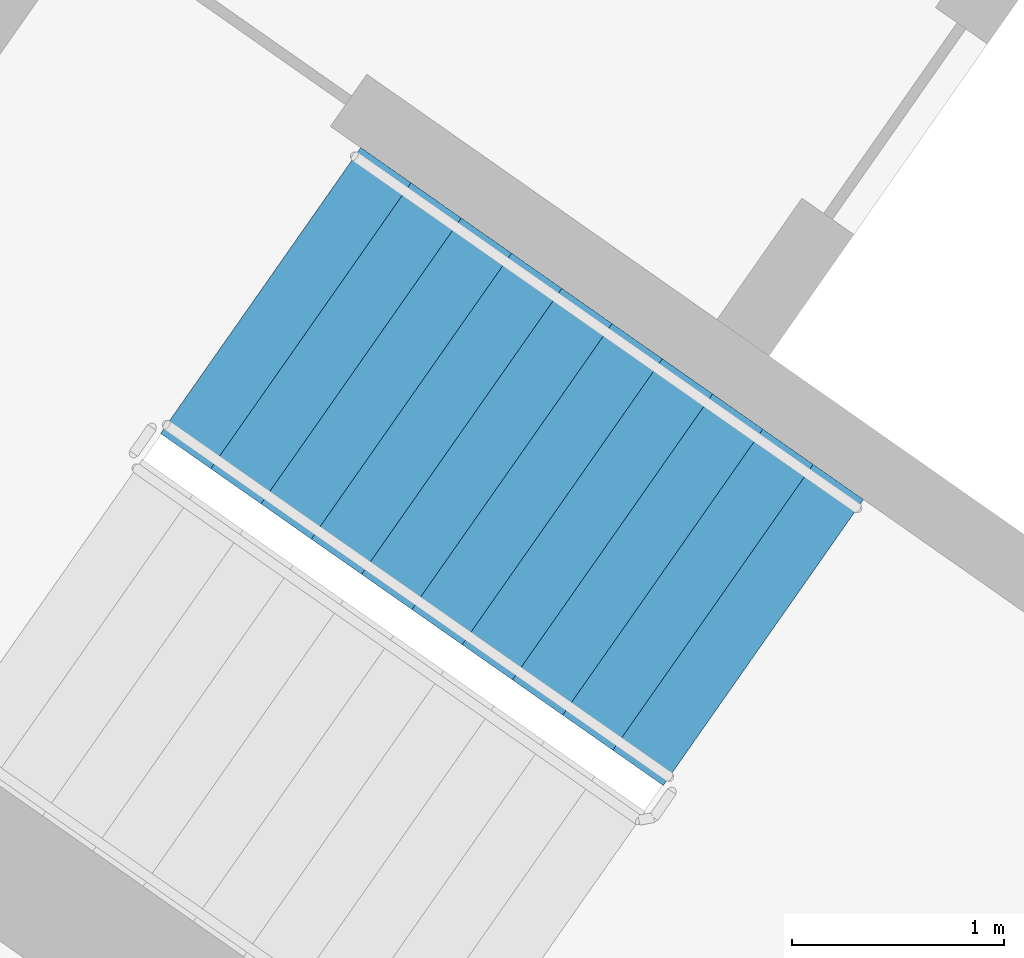
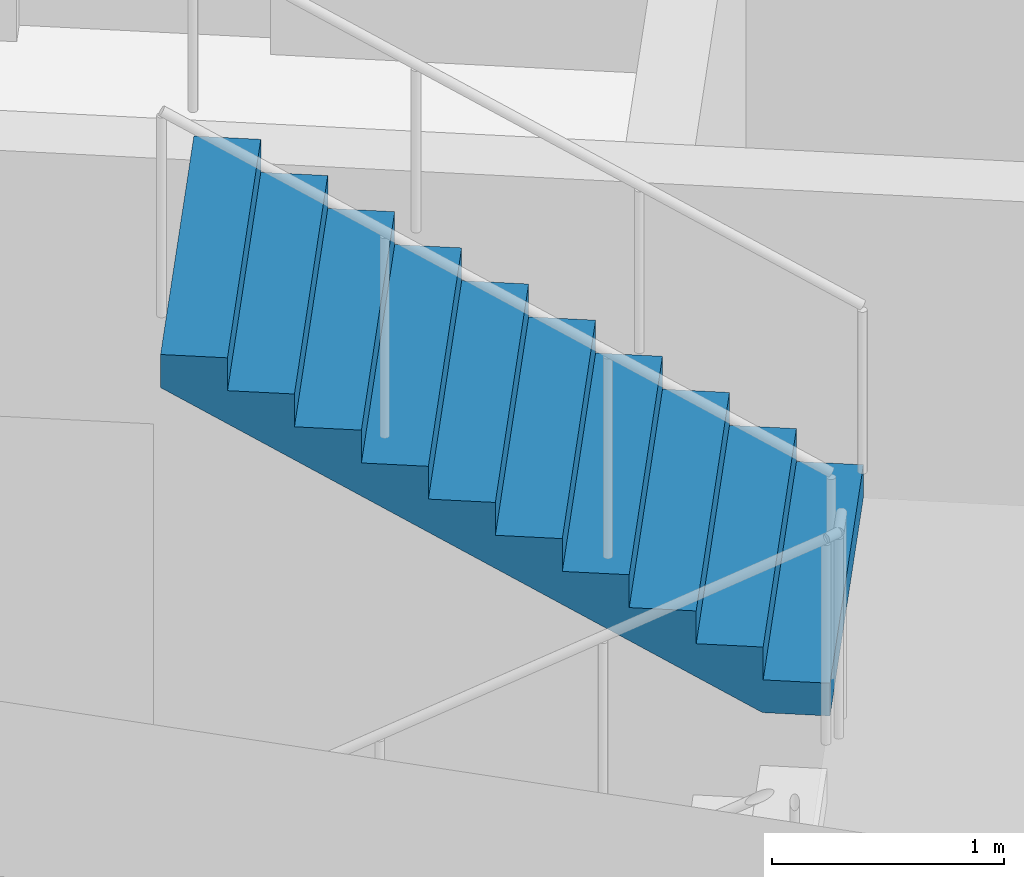
# One storey, part 10 of 27: 1 stair flight, 1 element without a shape of its own.
"""IFC4 building model written with IfcOpenShell, lengths in metres."""

from ifc_helpers import new_model, si_unit, direction, frame, origin, place, context, subcontext, project, spatial, faceted_brep, material, type_object, element, aggregate, save


model = new_model("IFC4")

# Units and contexts
model_context = context("Model", 3, precision=1e-05, world=origin(), true_north=direction((0.0, 1.0)))
body_context = subcontext(model_context, "Body", "Model", "MODEL_VIEW")
ifc_project = project(units=[si_unit("LENGTHUNIT", "METRE"), si_unit("AREAUNIT", "SQUARE_METRE"), si_unit("VOLUMEUNIT", "CUBIC_METRE"), si_unit("PLANEANGLEUNIT", "RADIAN"), si_unit("MASSUNIT", "GRAM", prefix="KILO")], contexts=[model_context])

# Site, building, storey
site_placement = place(None, origin())
site = spatial("IfcSite", under=ifc_project, at=site_placement, CompositionType="ELEMENT")
building_placement = place(site_placement, origin())
building = spatial("IfcBuilding", under=site, at=building_placement, Name="Qamariyya Broadcast Tower", CompositionType="ELEMENT")
storey_placement = place(building_placement, frame((0.0, 0.0, 211.300048828125)))
storey = spatial("IfcBuildingStorey", under=building, at=storey_placement, Name="L50", CompositionType="ELEMENT", Elevation=211.300048828125)

# Stair, stair flight
ifc_material = material(Name="Concrete C50/60", Category="concrete")
stair_type = type_object("IfcStairType", Name="Exit stair 22 risers of 173 mm", PredefinedType="HALF_TURN_STAIR", material=ifc_material)
stair_placement = place(storey_placement, origin())
stair = element("IfcStair", 1, at=stair_placement, inside=storey, type_object=stair_type, Name="L50 Stair W1", PredefinedType="HALF_TURN_STAIR")
stair_flight_type = type_object("IfcStairFlightType", Name="Exit stair flight 11 risers of 173 mm", PredefinedType="STRAIGHT", material=ifc_material)
stair_flight_placement = place(storey_placement, frame((-43.660888671875, -57.17138671875, 1.89990234375), z_axis=(0.0, 0.0, 1.0), x_axis=(-0.819152044289, 0.573576436351, 0.0)))
stair_flight = element("IfcStairFlight", 2, at=stair_flight_placement, type_object=stair_flight_type, Name="ST-W1 flight 2", NumberOfRisers=11, NumberOfTreads=10, PredefinedType="STRAIGHT", RiserHeight=0.172727273, TreadLength=0.29, context=body_context, shape_type="Brep", body=[
    faceted_brep([(0.0, 0.824951171875, 0.0), (0.0, 0.824951171875, 0.172607421875), (0.2900390625, 0.824951171875, 0.172607421875), (0.2900390625, 0.824951171875, 0.345458984375), (0.580078125, 0.824951171875, 0.345458984375), (0.580078125, 0.824951171875, 0.51806640625), (0.8701171875, 0.824951171875, 0.51806640625), (0.8701171875, 0.824951171875, 0.69091796875), (1.159912109375, 0.824951171875, 0.69091796875), (1.159912109375, 0.824951171875, 0.863525390625), (1.449951171875, 0.824951171875, 0.863525390625), (1.449951171875, 0.824951171875, 1.036376953125), (1.739990234375, 0.824951171875, 1.036376953125), (1.739990234375, 0.824951171875, 1.208984375), (2.030029296875, 0.824951171875, 1.208984375), (2.030029296875, 0.824951171875, 1.3818359375), (2.320068359375, 0.824951171875, 1.3818359375), (2.320068359375, 0.824951171875, 1.554443359375), (2.610107421875, 0.824951171875, 1.554443359375), (2.610107421875, 0.824951171875, 1.727294921875), (2.89990234375, 0.824951171875, 1.727294921875), (2.89990234375, 0.824951171875, 1.552734375), (0.29296875, 0.824951171875, 0.0), (0.29296875, -0.824951171875, 0.0), (2.89990234375, -0.824951171875, 1.552734375), (2.89990234375, -0.824951171875, 1.727294921875), (2.610107421875, -0.824951171875, 1.727294921875), (2.610107421875, -0.824951171875, 1.554443359375), (2.320068359375, -0.824951171875, 1.554443359375), (2.320068359375, -0.824951171875, 1.3818359375), (2.030029296875, -0.824951171875, 1.3818359375), (2.030029296875, -0.824951171875, 1.208984375), (1.739990234375, -0.824951171875, 1.208984375), (1.739990234375, -0.824951171875, 1.036376953125), (1.449951171875, -0.824951171875, 1.036376953125), (1.449951171875, -0.824951171875, 0.863525390625), (1.159912109375, -0.824951171875, 0.863525390625), (1.159912109375, -0.824951171875, 0.69091796875), (0.8701171875, -0.824951171875, 0.69091796875), (0.8701171875, -0.824951171875, 0.51806640625), (0.580078125, -0.824951171875, 0.51806640625), (0.580078125, -0.824951171875, 0.345458984375), (0.2900390625, -0.824951171875, 0.345458984375), (0.2900390625, -0.824951171875, 0.172607421875), (0.0, -0.824951171875, 0.172607421875), (0.0, -0.824951171875, 0.0), (0.0, 0.10009765625, 0.0), (0.0, 0.086669921875, 0.0), (0.0, 0.0732421875, 0.0), (0.0, 0.06005859375, 0.0), (0.0, 0.046630859375, 0.0), (0.0, 0.033447265625, 0.0), (0.0, 0.02001953125, 0.0), (0.0, 0.006591796875, 0.0), (0.0, -0.006591796875, 0.0), (0.0, -0.02001953125, 0.0), (0.0, -0.033447265625, 0.0), (0.0, -0.046630859375, 0.0), (0.0, -0.06005859375, 0.0), (0.0, -0.0732421875, 0.0), (0.0, -0.086669921875, 0.0), (0.0, -0.10009765625, 0.0), (0.0, -0.10009765625, 0.172607421875), (0.0, -0.086669921875, 0.172607421875), (0.0, -0.0732421875, 0.172607421875), (0.0, -0.06005859375, 0.172607421875), (0.0, -0.046630859375, 0.172607421875), (0.0, -0.033447265625, 0.172607421875), (0.0, -0.02001953125, 0.172607421875), (0.0, -0.006591796875, 0.172607421875), (0.0, 0.006591796875, 0.172607421875), (0.0, 0.02001953125, 0.172607421875), (0.0, 0.033447265625, 0.172607421875), (0.0, 0.046630859375, 0.172607421875), (0.0, 0.06005859375, 0.172607421875), (0.0, 0.0732421875, 0.172607421875), (0.0, 0.086669921875, 0.172607421875), (0.0, 0.10009765625, 0.172607421875), (0.2900390625, -0.10009765625, 0.172607421875), (0.2900390625, -0.086669921875, 0.172607421875), (0.2900390625, -0.0732421875, 0.172607421875), (0.2900390625, -0.06005859375, 0.172607421875), (0.2900390625, -0.046630859375, 0.172607421875), (0.2900390625, -0.033447265625, 0.172607421875), (0.2900390625, -0.02001953125, 0.172607421875), (0.2900390625, -0.006591796875, 0.172607421875), (0.2900390625, 0.006591796875, 0.172607421875), (0.2900390625, 0.02001953125, 0.172607421875), (0.2900390625, 0.033447265625, 0.172607421875), (0.2900390625, 0.046630859375, 0.172607421875), (0.2900390625, 0.06005859375, 0.172607421875), (0.2900390625, 0.0732421875, 0.172607421875), (0.2900390625, 0.086669921875, 0.172607421875), (0.2900390625, 0.10009765625, 0.172607421875), (0.2900390625, -0.10009765625, 0.345458984375), (0.2900390625, -0.086669921875, 0.345458984375), (0.2900390625, -0.0732421875, 0.345458984375), (0.2900390625, -0.06005859375, 0.345458984375), (0.2900390625, -0.046630859375, 0.345458984375), (0.2900390625, -0.033447265625, 0.345458984375), (0.2900390625, -0.02001953125, 0.345458984375), (0.2900390625, -0.006591796875, 0.345458984375), (0.2900390625, 0.006591796875, 0.345458984375), (0.2900390625, 0.02001953125, 0.345458984375), (0.2900390625, 0.033447265625, 0.345458984375), (0.2900390625, 0.046630859375, 0.345458984375), (0.2900390625, 0.06005859375, 0.345458984375), (0.2900390625, 0.0732421875, 0.345458984375), (0.2900390625, 0.086669921875, 0.345458984375), (0.2900390625, 0.10009765625, 0.345458984375), (0.580078125, -0.10009765625, 0.345458984375), (0.580078125, -0.086669921875, 0.345458984375), (0.580078125, -0.0732421875, 0.345458984375), (0.580078125, -0.06005859375, 0.345458984375), (0.580078125, -0.046630859375, 0.345458984375), (0.580078125, -0.033447265625, 0.345458984375), (0.580078125, -0.02001953125, 0.345458984375), (0.580078125, -0.006591796875, 0.345458984375), (0.580078125, 0.006591796875, 0.345458984375), (0.580078125, 0.02001953125, 0.345458984375), (0.580078125, 0.033447265625, 0.345458984375), (0.580078125, 0.046630859375, 0.345458984375), (0.580078125, 0.06005859375, 0.345458984375), (0.580078125, 0.0732421875, 0.345458984375), (0.580078125, 0.086669921875, 0.345458984375), (0.580078125, 0.10009765625, 0.345458984375), (0.580078125, -0.10009765625, 0.51806640625), (0.580078125, -0.086669921875, 0.51806640625), (0.580078125, -0.0732421875, 0.51806640625), (0.580078125, -0.06005859375, 0.51806640625), (0.580078125, -0.046630859375, 0.51806640625), (0.580078125, -0.033447265625, 0.51806640625), (0.580078125, -0.02001953125, 0.51806640625), (0.580078125, -0.006591796875, 0.51806640625), (0.580078125, 0.006591796875, 0.51806640625), (0.580078125, 0.02001953125, 0.51806640625), (0.580078125, 0.033447265625, 0.51806640625), (0.580078125, 0.046630859375, 0.51806640625), (0.580078125, 0.06005859375, 0.51806640625), (0.580078125, 0.0732421875, 0.51806640625), (0.580078125, 0.086669921875, 0.51806640625), (0.580078125, 0.10009765625, 0.51806640625), (0.8701171875, -0.10009765625, 0.51806640625), (0.8701171875, -0.086669921875, 0.51806640625), (0.8701171875, -0.0732421875, 0.51806640625), (0.8701171875, -0.06005859375, 0.51806640625), (0.8701171875, -0.046630859375, 0.51806640625), (0.8701171875, -0.033447265625, 0.51806640625), (0.8701171875, -0.02001953125, 0.51806640625), (0.8701171875, -0.006591796875, 0.51806640625), (0.8701171875, 0.006591796875, 0.51806640625), (0.8701171875, 0.02001953125, 0.51806640625), (0.8701171875, 0.033447265625, 0.51806640625), (0.8701171875, 0.046630859375, 0.51806640625), (0.8701171875, 0.06005859375, 0.51806640625), (0.8701171875, 0.0732421875, 0.51806640625), (0.8701171875, 0.086669921875, 0.51806640625), (0.8701171875, 0.10009765625, 0.51806640625), (0.8701171875, -0.10009765625, 0.69091796875), (0.8701171875, -0.086669921875, 0.69091796875), (0.8701171875, -0.0732421875, 0.69091796875), (0.8701171875, -0.06005859375, 0.69091796875), (0.8701171875, -0.046630859375, 0.69091796875), (0.8701171875, -0.033447265625, 0.69091796875), (0.8701171875, -0.02001953125, 0.69091796875), (0.8701171875, -0.006591796875, 0.69091796875), (0.8701171875, 0.006591796875, 0.69091796875), (0.8701171875, 0.02001953125, 0.69091796875), (0.8701171875, 0.033447265625, 0.69091796875), (0.8701171875, 0.046630859375, 0.69091796875), (0.8701171875, 0.06005859375, 0.69091796875), (0.8701171875, 0.0732421875, 0.69091796875), (0.8701171875, 0.086669921875, 0.69091796875), (0.8701171875, 0.10009765625, 0.69091796875), (1.159912109375, -0.10009765625, 0.69091796875), (1.159912109375, -0.086669921875, 0.69091796875), (1.159912109375, -0.0732421875, 0.69091796875), (1.159912109375, -0.06005859375, 0.69091796875), (1.159912109375, -0.046630859375, 0.69091796875), (1.159912109375, -0.033447265625, 0.69091796875), (1.159912109375, -0.02001953125, 0.69091796875), (1.159912109375, -0.006591796875, 0.69091796875), (1.159912109375, 0.006591796875, 0.69091796875), (1.159912109375, 0.02001953125, 0.69091796875), (1.159912109375, 0.033447265625, 0.69091796875), (1.159912109375, 0.046630859375, 0.69091796875), (1.159912109375, 0.06005859375, 0.69091796875), (1.159912109375, 0.0732421875, 0.69091796875), (1.159912109375, 0.086669921875, 0.69091796875), (1.159912109375, 0.10009765625, 0.69091796875), (1.159912109375, -0.10009765625, 0.863525390625), (1.159912109375, -0.086669921875, 0.863525390625), (1.159912109375, -0.0732421875, 0.863525390625), (1.159912109375, -0.06005859375, 0.863525390625), (1.159912109375, -0.046630859375, 0.863525390625), (1.159912109375, -0.033447265625, 0.863525390625), (1.159912109375, -0.02001953125, 0.863525390625), (1.159912109375, -0.006591796875, 0.863525390625), (1.159912109375, 0.006591796875, 0.863525390625), (1.159912109375, 0.02001953125, 0.863525390625), (1.159912109375, 0.033447265625, 0.863525390625), (1.159912109375, 0.046630859375, 0.863525390625), (1.159912109375, 0.06005859375, 0.863525390625), (1.159912109375, 0.0732421875, 0.863525390625), (1.159912109375, 0.086669921875, 0.863525390625), (1.159912109375, 0.10009765625, 0.863525390625), (1.449951171875, -0.10009765625, 0.863525390625), (1.449951171875, -0.086669921875, 0.863525390625), (1.449951171875, -0.0732421875, 0.863525390625), (1.449951171875, -0.06005859375, 0.863525390625), (1.449951171875, -0.046630859375, 0.863525390625), (1.449951171875, -0.033447265625, 0.863525390625), (1.449951171875, -0.02001953125, 0.863525390625), (1.449951171875, -0.006591796875, 0.863525390625), (1.449951171875, 0.006591796875, 0.863525390625), (1.449951171875, 0.02001953125, 0.863525390625), (1.449951171875, 0.033447265625, 0.863525390625), (1.449951171875, 0.046630859375, 0.863525390625), (1.449951171875, 0.06005859375, 0.863525390625), (1.449951171875, 0.0732421875, 0.863525390625), (1.449951171875, 0.086669921875, 0.863525390625), (1.449951171875, 0.10009765625, 0.863525390625), (1.449951171875, -0.10009765625, 1.036376953125), (1.449951171875, -0.086669921875, 1.036376953125), (1.449951171875, -0.0732421875, 1.036376953125), (1.449951171875, -0.06005859375, 1.036376953125), (1.449951171875, -0.046630859375, 1.036376953125), (1.449951171875, -0.033447265625, 1.036376953125), (1.449951171875, -0.02001953125, 1.036376953125), (1.449951171875, -0.006591796875, 1.036376953125), (1.449951171875, 0.006591796875, 1.036376953125), (1.449951171875, 0.02001953125, 1.036376953125), (1.449951171875, 0.033447265625, 1.036376953125), (1.449951171875, 0.046630859375, 1.036376953125), (1.449951171875, 0.06005859375, 1.036376953125), (1.449951171875, 0.0732421875, 1.036376953125), (1.449951171875, 0.086669921875, 1.036376953125), (1.449951171875, 0.10009765625, 1.036376953125), (1.739990234375, -0.10009765625, 1.036376953125), (1.739990234375, -0.086669921875, 1.036376953125), (1.739990234375, -0.0732421875, 1.036376953125), (1.739990234375, -0.06005859375, 1.036376953125), (1.739990234375, -0.046630859375, 1.036376953125), (1.739990234375, -0.033447265625, 1.036376953125), (1.739990234375, -0.02001953125, 1.036376953125), (1.739990234375, -0.006591796875, 1.036376953125), (1.739990234375, 0.006591796875, 1.036376953125), (1.739990234375, 0.02001953125, 1.036376953125), (1.739990234375, 0.033447265625, 1.036376953125), (1.739990234375, 0.046630859375, 1.036376953125), (1.739990234375, 0.06005859375, 1.036376953125), (1.739990234375, 0.0732421875, 1.036376953125), (1.739990234375, 0.086669921875, 1.036376953125), (1.739990234375, 0.10009765625, 1.036376953125), (1.739990234375, -0.10009765625, 1.208984375), (1.739990234375, -0.086669921875, 1.208984375), (1.739990234375, -0.0732421875, 1.208984375), (1.739990234375, -0.06005859375, 1.208984375), (1.739990234375, -0.046630859375, 1.208984375), (1.739990234375, -0.033447265625, 1.208984375), (1.739990234375, -0.02001953125, 1.208984375), (1.739990234375, -0.006591796875, 1.208984375), (1.739990234375, 0.006591796875, 1.208984375), (1.739990234375, 0.02001953125, 1.208984375), (1.739990234375, 0.033447265625, 1.208984375), (1.739990234375, 0.046630859375, 1.208984375), (1.739990234375, 0.06005859375, 1.208984375), (1.739990234375, 0.0732421875, 1.208984375), (1.739990234375, 0.086669921875, 1.208984375), (1.739990234375, 0.10009765625, 1.208984375), (2.030029296875, -0.10009765625, 1.208984375), (2.030029296875, -0.086669921875, 1.208984375), (2.030029296875, -0.0732421875, 1.208984375), (2.030029296875, -0.06005859375, 1.208984375), (2.030029296875, -0.046630859375, 1.208984375), (2.030029296875, -0.033447265625, 1.208984375), (2.030029296875, -0.02001953125, 1.208984375), (2.030029296875, -0.006591796875, 1.208984375), (2.030029296875, 0.006591796875, 1.208984375), (2.030029296875, 0.02001953125, 1.208984375), (2.030029296875, 0.033447265625, 1.208984375), (2.030029296875, 0.046630859375, 1.208984375), (2.030029296875, 0.06005859375, 1.208984375), (2.030029296875, 0.0732421875, 1.208984375), (2.030029296875, 0.086669921875, 1.208984375), (2.030029296875, 0.10009765625, 1.208984375), (2.030029296875, -0.10009765625, 1.3818359375), (2.030029296875, -0.086669921875, 1.3818359375), (2.030029296875, -0.0732421875, 1.3818359375), (2.030029296875, -0.06005859375, 1.3818359375), (2.030029296875, -0.046630859375, 1.3818359375), (2.030029296875, -0.033447265625, 1.3818359375), (2.030029296875, -0.02001953125, 1.3818359375), (2.030029296875, -0.006591796875, 1.3818359375), (2.030029296875, 0.006591796875, 1.3818359375), (2.030029296875, 0.02001953125, 1.3818359375), (2.030029296875, 0.033447265625, 1.3818359375), (2.030029296875, 0.046630859375, 1.3818359375), (2.030029296875, 0.06005859375, 1.3818359375), (2.030029296875, 0.0732421875, 1.3818359375), (2.030029296875, 0.086669921875, 1.3818359375), (2.030029296875, 0.10009765625, 1.3818359375), (2.320068359375, -0.10009765625, 1.3818359375), (2.320068359375, -0.086669921875, 1.3818359375), (2.320068359375, -0.0732421875, 1.3818359375), (2.320068359375, -0.06005859375, 1.3818359375), (2.320068359375, -0.046630859375, 1.3818359375), (2.320068359375, -0.033447265625, 1.3818359375), (2.320068359375, -0.02001953125, 1.3818359375), (2.320068359375, -0.006591796875, 1.3818359375), (2.320068359375, 0.006591796875, 1.3818359375), (2.320068359375, 0.02001953125, 1.3818359375), (2.320068359375, 0.033447265625, 1.3818359375), (2.320068359375, 0.046630859375, 1.3818359375), (2.320068359375, 0.06005859375, 1.3818359375), (2.320068359375, 0.0732421875, 1.3818359375), (2.320068359375, 0.086669921875, 1.3818359375), (2.320068359375, 0.10009765625, 1.3818359375), (2.320068359375, -0.10009765625, 1.554443359375), (2.320068359375, -0.086669921875, 1.554443359375), (2.320068359375, -0.0732421875, 1.554443359375), (2.320068359375, -0.06005859375, 1.554443359375), (2.320068359375, -0.046630859375, 1.554443359375), (2.320068359375, -0.033447265625, 1.554443359375), (2.320068359375, -0.02001953125, 1.554443359375), (2.320068359375, -0.006591796875, 1.554443359375), (2.320068359375, 0.006591796875, 1.554443359375), (2.320068359375, 0.02001953125, 1.554443359375), (2.320068359375, 0.033447265625, 1.554443359375), (2.320068359375, 0.046630859375, 1.554443359375), (2.320068359375, 0.06005859375, 1.554443359375), (2.320068359375, 0.0732421875, 1.554443359375), (2.320068359375, 0.086669921875, 1.554443359375), (2.320068359375, 0.10009765625, 1.554443359375), (2.610107421875, -0.10009765625, 1.554443359375), (2.610107421875, -0.086669921875, 1.554443359375), (2.610107421875, -0.0732421875, 1.554443359375), (2.610107421875, -0.06005859375, 1.554443359375), (2.610107421875, -0.046630859375, 1.554443359375), (2.610107421875, -0.033447265625, 1.554443359375), (2.610107421875, -0.02001953125, 1.554443359375), (2.610107421875, -0.006591796875, 1.554443359375), (2.610107421875, 0.006591796875, 1.554443359375), (2.610107421875, 0.02001953125, 1.554443359375), (2.610107421875, 0.033447265625, 1.554443359375), (2.610107421875, 0.046630859375, 1.554443359375), (2.610107421875, 0.06005859375, 1.554443359375), (2.610107421875, 0.0732421875, 1.554443359375), (2.610107421875, 0.086669921875, 1.554443359375), (2.610107421875, 0.10009765625, 1.554443359375), (2.610107421875, -0.10009765625, 1.727294921875), (2.610107421875, -0.086669921875, 1.727294921875), (2.610107421875, -0.0732421875, 1.727294921875), (2.610107421875, -0.06005859375, 1.727294921875), (2.610107421875, -0.046630859375, 1.727294921875), (2.610107421875, -0.033447265625, 1.727294921875), (2.610107421875, -0.02001953125, 1.727294921875), (2.610107421875, -0.006591796875, 1.727294921875), (2.610107421875, 0.006591796875, 1.727294921875), (2.610107421875, 0.02001953125, 1.727294921875), (2.610107421875, 0.033447265625, 1.727294921875), (2.610107421875, 0.046630859375, 1.727294921875), (2.610107421875, 0.06005859375, 1.727294921875), (2.610107421875, 0.0732421875, 1.727294921875), (2.610107421875, 0.086669921875, 1.727294921875), (2.610107421875, 0.10009765625, 1.727294921875), (2.89990234375, -0.10009765625, 1.727294921875), (2.89990234375, -0.086669921875, 1.727294921875), (2.89990234375, -0.0732421875, 1.727294921875), (2.89990234375, -0.06005859375, 1.727294921875), (2.89990234375, -0.046630859375, 1.727294921875), (2.89990234375, -0.033447265625, 1.727294921875), (2.89990234375, -0.02001953125, 1.727294921875), (2.89990234375, -0.006591796875, 1.727294921875), (2.89990234375, 0.006591796875, 1.727294921875), (2.89990234375, 0.02001953125, 1.727294921875), (2.89990234375, 0.033447265625, 1.727294921875), (2.89990234375, 0.046630859375, 1.727294921875), (2.89990234375, 0.06005859375, 1.727294921875), (2.89990234375, 0.0732421875, 1.727294921875), (2.89990234375, 0.086669921875, 1.727294921875), (2.89990234375, 0.10009765625, 1.727294921875), (2.89990234375, -0.10009765625, 1.552734375), (2.89990234375, -0.086669921875, 1.552734375), (2.89990234375, -0.0732421875, 1.552734375), (2.89990234375, -0.06005859375, 1.552734375), (2.89990234375, -0.046630859375, 1.552734375), (2.89990234375, -0.033447265625, 1.552734375), (2.89990234375, -0.02001953125, 1.552734375), (2.89990234375, -0.006591796875, 1.552734375), (2.89990234375, 0.006591796875, 1.552734375), (2.89990234375, 0.02001953125, 1.552734375), (2.89990234375, 0.033447265625, 1.552734375), (2.89990234375, 0.046630859375, 1.552734375), (2.89990234375, 0.06005859375, 1.552734375), (2.89990234375, 0.0732421875, 1.552734375), (2.89990234375, 0.086669921875, 1.552734375), (2.89990234375, 0.10009765625, 1.552734375), (0.29296875, -0.10009765625, 0.0), (0.29296875, -0.086669921875, 0.0), (0.29296875, -0.0732421875, 0.0), (0.29296875, -0.06005859375, 0.0), (0.29296875, -0.046630859375, 0.0), (0.29296875, -0.033447265625, 0.0), (0.29296875, -0.02001953125, 0.0), (0.29296875, -0.006591796875, 0.0), (0.29296875, 0.006591796875, 0.0), (0.29296875, 0.02001953125, 0.0), (0.29296875, 0.033447265625, 0.0), (0.29296875, 0.046630859375, 0.0), (0.29296875, 0.06005859375, 0.0), (0.29296875, 0.0732421875, 0.0), (0.29296875, 0.086669921875, 0.0), (0.29296875, 0.10009765625, 0.0)], [[[0, 1, 2, 3, 4, 5, 6, 7, 8, 9, 10, 11, 12, 13, 14, 15, 16, 17, 18, 19, 20, 21, 22]], [[23, 24, 25, 26, 27, 28, 29, 30, 31, 32, 33, 34, 35, 36, 37, 38, 39, 40, 41, 42, 43, 44, 45]], [[0, 46, 47, 48, 49, 50, 51, 52, 53, 54, 55, 56, 57, 58, 59, 60, 61, 45, 44, 62, 63, 64, 65, 66, 67, 68, 69, 70, 71, 72, 73, 74, 75, 76, 77, 1]], [[1, 77, 76, 75, 74, 73, 72, 71, 70, 69, 68, 67, 66, 65, 64, 63, 62, 44, 43, 78, 79, 80, 81, 82, 83, 84, 85, 86, 87, 88, 89, 90, 91, 92, 93, 2]], [[2, 93, 92, 91, 90, 89, 88, 87, 86, 85, 84, 83, 82, 81, 80, 79, 78, 43, 42, 94, 95, 96, 97, 98, 99, 100, 101, 102, 103, 104, 105, 106, 107, 108, 109, 3]], [[3, 109, 108, 107, 106, 105, 104, 103, 102, 101, 100, 99, 98, 97, 96, 95, 94, 42, 41, 110, 111, 112, 113, 114, 115, 116, 117, 118, 119, 120, 121, 122, 123, 124, 125, 4]], [[4, 125, 124, 123, 122, 121, 120, 119, 118, 117, 116, 115, 114, 113, 112, 111, 110, 41, 40, 126, 127, 128, 129, 130, 131, 132, 133, 134, 135, 136, 137, 138, 139, 140, 141, 5]], [[5, 141, 140, 139, 138, 137, 136, 135, 134, 133, 132, 131, 130, 129, 128, 127, 126, 40, 39, 142, 143, 144, 145, 146, 147, 148, 149, 150, 151, 152, 153, 154, 155, 156, 157, 6]], [[6, 157, 156, 155, 154, 153, 152, 151, 150, 149, 148, 147, 146, 145, 144, 143, 142, 39, 38, 158, 159, 160, 161, 162, 163, 164, 165, 166, 167, 168, 169, 170, 171, 172, 173, 7]], [[7, 173, 172, 171, 170, 169, 168, 167, 166, 165, 164, 163, 162, 161, 160, 159, 158, 38, 37, 174, 175, 176, 177, 178, 179, 180, 181, 182, 183, 184, 185, 186, 187, 188, 189, 8]], [[8, 189, 188, 187, 186, 185, 184, 183, 182, 181, 180, 179, 178, 177, 176, 175, 174, 37, 36, 190, 191, 192, 193, 194, 195, 196, 197, 198, 199, 200, 201, 202, 203, 204, 205, 9]], [[9, 205, 204, 203, 202, 201, 200, 199, 198, 197, 196, 195, 194, 193, 192, 191, 190, 36, 35, 206, 207, 208, 209, 210, 211, 212, 213, 214, 215, 216, 217, 218, 219, 220, 221, 10]], [[10, 221, 220, 219, 218, 217, 216, 215, 214, 213, 212, 211, 210, 209, 208, 207, 206, 35, 34, 222, 223, 224, 225, 226, 227, 228, 229, 230, 231, 232, 233, 234, 235, 236, 237, 11]], [[11, 237, 236, 235, 234, 233, 232, 231, 230, 229, 228, 227, 226, 225, 224, 223, 222, 34, 33, 238, 239, 240, 241, 242, 243, 244, 245, 246, 247, 248, 249, 250, 251, 252, 253, 12]], [[12, 253, 252, 251, 250, 249, 248, 247, 246, 245, 244, 243, 242, 241, 240, 239, 238, 33, 32, 254, 255, 256, 257, 258, 259, 260, 261, 262, 263, 264, 265, 266, 267, 268, 269, 13]], [[13, 269, 268, 267, 266, 265, 264, 263, 262, 261, 260, 259, 258, 257, 256, 255, 254, 32, 31, 270, 271, 272, 273, 274, 275, 276, 277, 278, 279, 280, 281, 282, 283, 284, 285, 14]], [[14, 285, 284, 283, 282, 281, 280, 279, 278, 277, 276, 275, 274, 273, 272, 271, 270, 31, 30, 286, 287, 288, 289, 290, 291, 292, 293, 294, 295, 296, 297, 298, 299, 300, 301, 15]], [[15, 301, 300, 299, 298, 297, 296, 295, 294, 293, 292, 291, 290, 289, 288, 287, 286, 30, 29, 302, 303, 304, 305, 306, 307, 308, 309, 310, 311, 312, 313, 314, 315, 316, 317, 16]], [[16, 317, 316, 315, 314, 313, 312, 311, 310, 309, 308, 307, 306, 305, 304, 303, 302, 29, 28, 318, 319, 320, 321, 322, 323, 324, 325, 326, 327, 328, 329, 330, 331, 332, 333, 17]], [[17, 333, 332, 331, 330, 329, 328, 327, 326, 325, 324, 323, 322, 321, 320, 319, 318, 28, 27, 334, 335, 336, 337, 338, 339, 340, 341, 342, 343, 344, 345, 346, 347, 348, 349, 18]], [[18, 349, 348, 347, 346, 345, 344, 343, 342, 341, 340, 339, 338, 337, 336, 335, 334, 27, 26, 350, 351, 352, 353, 354, 355, 356, 357, 358, 359, 360, 361, 362, 363, 364, 365, 19]], [[19, 365, 364, 363, 362, 361, 360, 359, 358, 357, 356, 355, 354, 353, 352, 351, 350, 26, 25, 366, 367, 368, 369, 370, 371, 372, 373, 374, 375, 376, 377, 378, 379, 380, 381, 20]], [[20, 381, 380, 379, 378, 377, 376, 375, 374, 373, 372, 371, 370, 369, 368, 367, 366, 25, 24, 382, 383, 384, 385, 386, 387, 388, 389, 390, 391, 392, 393, 394, 395, 396, 397, 21]], [[21, 397, 396, 395, 394, 393, 392, 391, 390, 389, 388, 387, 386, 385, 384, 383, 382, 24, 23, 398, 399, 400, 401, 402, 403, 404, 405, 406, 407, 408, 409, 410, 411, 412, 413, 22]], [[22, 413, 412, 411, 410, 409, 408, 407, 406, 405, 404, 403, 402, 401, 400, 399, 398, 23, 45, 61, 60, 59, 58, 57, 56, 55, 54, 53, 52, 51, 50, 49, 48, 47, 46, 0]]]),
])
aggregate(stair, [stair_flight])

save(model, "model.ifc")
